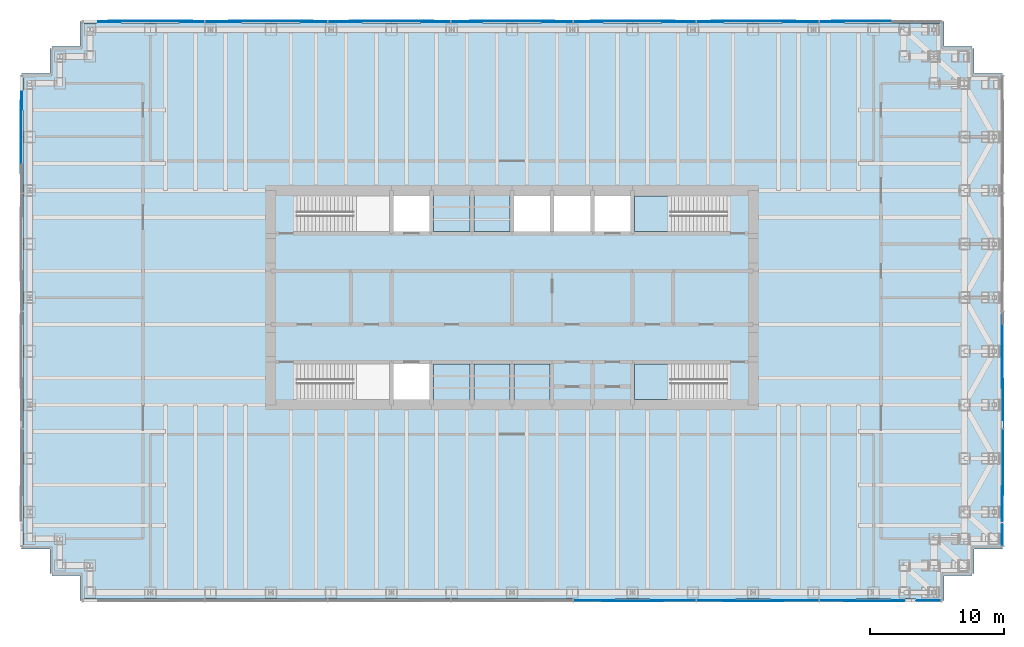
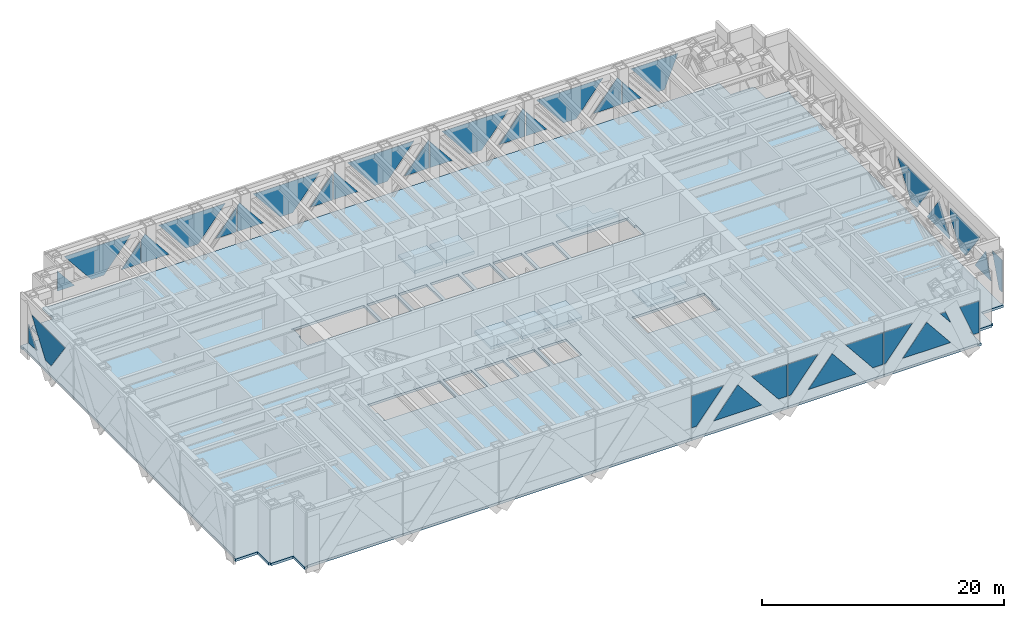
# One storey, part 10 of 17: 37 plates, 8 slabs, 6 elements without a shape of their own.
"""IFC4 building model written with IfcOpenShell, lengths in metres."""

from ifc_helpers import new_model, si_unit, direction, frame, origin, place, context, subcontext, project, spatial, polyline, outline, extrude, material, layer, layer_set, type_object, element, aggregate, save


model = new_model("IFC4")

# Units and contexts
model_context = context("Model", 3, precision=1e-05, world=origin(), true_north=direction((0.0, 1.0)))
body_context = subcontext(model_context, "Body", "Model", "MODEL_VIEW")
ifc_project = project(units=[si_unit("LENGTHUNIT", "METRE"), si_unit("AREAUNIT", "SQUARE_METRE"), si_unit("VOLUMEUNIT", "CUBIC_METRE"), si_unit("PLANEANGLEUNIT", "RADIAN"), si_unit("MASSUNIT", "GRAM", prefix="KILO")], contexts=[model_context])

# Site, building, storey
site_placement = place(None, origin())
site = spatial("IfcSite", under=ifc_project, at=site_placement, CompositionType="ELEMENT")
building_placement = place(site_placement, origin())
building = spatial("IfcBuilding", under=site, at=building_placement, Name="Rheinbord Bourse Tower", CompositionType="ELEMENT")
storey_placement = place(building_placement, frame((0.0, 0.0, 265.60009765625)))
storey = spatial("IfcBuildingStorey", under=building, at=storey_placement, Name="L60", CompositionType="ELEMENT", Elevation=265.60009765625)

# Slab
ifc_material_1 = material(Name="Concrete C30/37", Category="concrete")
ifc_layer_1 = layer(ifc_material_1, 0.25)
ifc_layer_set_1 = layer_set([ifc_layer_1], Name="COMPOSITE FLOOR SLAB 250")
slab_type_1 = type_object("IfcSlabType", Name="COMPOSITE FLOOR SLAB 250", PredefinedType="FLOOR", material=ifc_layer_set_1)
slab_1_placement = place(storey_placement, frame((0.0, 0.0, -0.25)))
element("IfcSlab", 1, at=slab_1_placement, inside=storey, type_object=slab_type_1, Name="Floor slab L60", PredefinedType="FLOOR", context=body_context, shape_type="SweptSolid", body=[
    extrude(outline(polyline([(1.64990234375, 3.39990234375), (1.5, 3.39990234375), (1.5, 5.25), (-0.60009765625, 5.25), (-0.60009765625, 5.550048828125), (-0.5, 5.550048828125), (-0.5, 40.449951171875), (-0.60009765625, 40.449951171875), (-0.60009765625, 40.75), (1.5, 40.75), (1.5, 42.60009765625), (1.64990234375, 42.60009765625), (1.64990234375, 42.75), (3.75, 42.75), (3.75, 44.60009765625), (4.050048828125, 44.60009765625), (4.050048828125, 44.5), (67.949951171875, 44.5), (67.949951171875, 44.60009765625), (68.25, 44.60009765625), (68.25, 42.75), (70.35009765625, 42.75), (70.35009765625, 42.60009765625), (70.5, 42.60009765625), (70.5, 40.75), (72.60009765625, 40.75), (72.60009765625, 40.449951171875), (72.5, 40.449951171875), (72.5, 5.550048828125), (72.60009765625, 5.550048828125), (72.60009765625, 5.25), (70.5, 5.25), (70.5, 3.39990234375), (70.35009765625, 3.39990234375), (70.35009765625, 3.25), (68.25, 3.25), (68.25, 1.39990234375), (67.949951171875, 1.39990234375), (67.949951171875, 1.5), (4.050048828125, 1.5), (4.050048828125, 1.39990234375), (3.75, 1.39990234375), (3.75, 3.25), (1.64990234375, 3.25), (1.64990234375, 3.39990234375)]), holes=[polyline([(19.949951171875, 19.050048828125), (26.85009765625, 19.050048828125), (26.85009765625, 16.39990234375), (19.949951171875, 16.39990234375), (19.949951171875, 16.449951171875), (20.10009765625, 16.449951171875), (20.10009765625, 17.64990234375), (19.949951171875, 17.64990234375), (19.949951171875, 19.050048828125)]), polyline([(19.949951171875, 31.60009765625), (26.85009765625, 31.60009765625), (26.85009765625, 28.949951171875), (19.949951171875, 28.949951171875), (19.949951171875, 30.35009765625), (20.10009765625, 30.35009765625), (20.10009765625, 31.550048828125), (19.949951171875, 31.550048828125), (19.949951171875, 31.60009765625)]), polyline([(52.050048828125, 16.39990234375), (45.14990234375, 16.39990234375), (45.14990234375, 19.050048828125), (52.050048828125, 19.050048828125), (52.050048828125, 17.64990234375), (51.89990234375, 17.64990234375), (51.89990234375, 16.449951171875), (52.050048828125, 16.449951171875), (52.050048828125, 16.39990234375)]), polyline([(52.050048828125, 28.949951171875), (45.14990234375, 28.949951171875), (45.14990234375, 31.60009765625), (52.050048828125, 31.60009765625), (52.050048828125, 31.550048828125), (51.89990234375, 31.550048828125), (51.89990234375, 30.35009765625), (52.050048828125, 30.35009765625), (52.050048828125, 28.949951171875)]), polyline([(27.14990234375, 16.39990234375), (27.14990234375, 19.050048828125), (29.85009765625, 19.050048828125), (29.85009765625, 16.39990234375), (27.14990234375, 16.39990234375)]), polyline([(27.14990234375, 28.949951171875), (27.14990234375, 31.60009765625), (29.85009765625, 31.60009765625), (29.85009765625, 28.949951171875), (27.14990234375, 28.949951171875)]), polyline([(30.14990234375, 16.39990234375), (30.14990234375, 19.050048828125), (32.85009765625, 19.050048828125), (32.85009765625, 16.39990234375), (30.14990234375, 16.39990234375)]), polyline([(30.14990234375, 28.949951171875), (30.14990234375, 31.60009765625), (32.85009765625, 31.60009765625), (32.85009765625, 28.949951171875), (30.14990234375, 28.949951171875)]), polyline([(33.14990234375, 16.39990234375), (33.14990234375, 19.050048828125), (35.85009765625, 19.050048828125), (35.85009765625, 16.39990234375), (33.14990234375, 16.39990234375)]), polyline([(33.14990234375, 28.949951171875), (33.14990234375, 31.60009765625), (35.85009765625, 31.60009765625), (35.85009765625, 28.949951171875), (33.14990234375, 28.949951171875)]), polyline([(36.14990234375, 16.39990234375), (36.14990234375, 19.050048828125), (38.85009765625, 19.050048828125), (38.85009765625, 16.39990234375), (36.14990234375, 16.39990234375)]), polyline([(36.14990234375, 28.949951171875), (36.14990234375, 31.60009765625), (38.85009765625, 31.60009765625), (38.85009765625, 28.949951171875), (36.14990234375, 28.949951171875)]), polyline([(39.14990234375, 28.949951171875), (39.14990234375, 31.60009765625), (41.85009765625, 31.60009765625), (41.85009765625, 28.949951171875), (39.14990234375, 28.949951171875)]), polyline([(42.14990234375, 28.949951171875), (42.14990234375, 31.60009765625), (44.85009765625, 31.60009765625), (44.85009765625, 28.949951171875), (42.14990234375, 28.949951171875)])]), origin(), (0.0, 0.0, 1.0), 0.25),
])

# Curtain wall, plates
ifc_material_2 = material(Name="Dark glass and black aluminium", Category="aluminium")
curtain_wall_type = type_object("IfcCurtainWallType", Name="CW5 DARK GLASS CURTAIN WALL", PredefinedType="USERDEFINED", material=ifc_material_2)
curtain_wall_1_placement = place(storey_placement, origin())
curtain_wall_1 = element("IfcCurtainWall", 2, at=curtain_wall_1_placement, inside=storey, type_object=curtain_wall_type, Name="Curtain wall CW5 S L60", ObjectType="UNITISED CURTAIN WALL", PredefinedType="USERDEFINED")
ifc_material_3 = material(Name="Dark tinted triple insulating glass", Category="glass")
ifc_layer_2 = layer(ifc_material_3, 0.050048828125)
ifc_layer_set_2 = layer_set([ifc_layer_2], Name="CW5 DARK GLASS PANEL")
plate_type = type_object("IfcPlateType", Name="CW5 DARK GLASS PANEL", PredefinedType="CURTAIN_PANEL", material=ifc_layer_set_2)
plate_1_placement = place(storey_placement, frame((40.6259765625, 1.375, 1.14990234375), z_axis=(0.0, 1.0, 0.0), x_axis=(0.0, 0.0, 1.0)))
plate_1 = element("IfcPlate", 3, at=plate_1_placement, type_object=plate_type, Name="CW5 glass facet 1", PredefinedType="CURTAIN_PANEL", context=body_context, shape_type="SweptSolid", body=[
    extrude(outline(polyline([(0.0, 0.0), (3.199951171875, 0.0), (3.199951171875, 3.051025390625), (0.0, 0.47509765625), (0.0, 0.0)])), origin(), (0.0, 0.0, 1.0), 0.050048828125),
])
plate_2_placement = place(storey_placement, frame((42.717041015625, 1.31982421875, 1.14990234375), z_axis=(0.0, 1.0, 0.0), x_axis=(0.627071935426, 0.0, 0.778961351931)))
plate_2 = element("IfcPlate", 4, at=plate_2_placement, type_object=plate_type, Name="CW5 glass facet 2", PredefinedType="CURTAIN_PANEL", context=body_context, shape_type="SweptSolid", body=[
    extrude(outline(polyline([(0.0, 0.0), (3.640625, 0.0), (2.863037109375, 3.556640625), (0.0, 0.0)])), origin(), (0.0, 0.0, 1.0), 0.050048828125),
])
plate_3_placement = place(storey_placement, frame((49.717041015625, 1.375, 4.349853515625), z_axis=(0.0, 1.0, 0.0), x_axis=(0.0, 0.0, -1.0)))
plate_3 = element("IfcPlate", 5, at=plate_3_placement, type_object=plate_type, Name="CW5 glass facet 3", PredefinedType="CURTAIN_PANEL", context=body_context, shape_type="SweptSolid", body=[
    extrude(outline(polyline([(0.0, 0.0), (3.199951171875, 0.0), (3.199951171875, 0.818115234375), (0.0, 3.39404296875), (0.0, 0.0)])), origin(), (0.0, 0.0, 1.0), 0.050048828125),
])
plate_4_placement = place(storey_placement, frame((49.797119140625, 1.375, 1.14990234375), z_axis=(0.0, 1.0, 0.0), x_axis=(0.0, 0.0, 1.0)))
plate_4 = element("IfcPlate", 6, at=plate_4_placement, type_object=plate_type, Name="CW5 glass facet 1", PredefinedType="CURTAIN_PANEL", context=body_context, shape_type="SweptSolid", body=[
    extrude(outline(polyline([(0.0, 0.0), (3.199951171875, 0.0), (3.199951171875, 2.8798828125), (0.0, 0.303955078125), (0.0, 0.0)])), origin(), (0.0, 0.0, 1.0), 0.050048828125),
])
plate_5_placement = place(storey_placement, frame((51.717041015625, 1.31982421875, 1.14990234375), z_axis=(0.0, 1.0, 0.0), x_axis=(0.627071935426, 0.0, 0.778961351931)))
plate_5 = element("IfcPlate", 7, at=plate_5_placement, type_object=plate_type, Name="CW5 glass facet 2", PredefinedType="CURTAIN_PANEL", context=body_context, shape_type="SweptSolid", body=[
    extrude(outline(polyline([(0.0, 0.0), (3.640625, 0.0), (2.863037109375, 3.556640625), (0.0, 0.0)])), origin(), (0.0, 0.0, 1.0), 0.050048828125),
])
plate_6_placement = place(storey_placement, frame((58.888916015625, 1.375, 4.349853515625), z_axis=(0.0, 1.0, 0.0), x_axis=(0.0, 0.0, -1.0)))
plate_6 = element("IfcPlate", 8, at=plate_6_placement, type_object=plate_type, Name="CW5 glass facet 3", PredefinedType="CURTAIN_PANEL", context=body_context, shape_type="SweptSolid", body=[
    extrude(outline(polyline([(0.0, 0.0), (3.199951171875, 0.0), (3.199951171875, 0.989990234375), (0.0, 3.56591796875), (0.0, 0.0)])), origin(), (0.0, 0.0, 1.0), 0.050048828125),
])
plate_7_placement = place(storey_placement, frame((58.968994140625, 1.375, 1.14990234375), z_axis=(0.0, 1.0, 0.0), x_axis=(0.0, 0.0, 1.0)))
plate_7 = element("IfcPlate", 9, at=plate_7_placement, type_object=plate_type, Name="CW5 glass facet 1", PredefinedType="CURTAIN_PANEL", context=body_context, shape_type="SweptSolid", body=[
    extrude(outline(polyline([(0.0, 0.0), (3.199951171875, 0.0), (3.199951171875, 2.7080078125), (0.0, 0.132080078125), (0.0, 0.0)])), origin(), (0.0, 0.0, 1.0), 0.050048828125),
])
plate_8_placement = place(storey_placement, frame((60.717041015625, 1.31982421875, 1.14990234375), z_axis=(0.0, 1.0, 0.0), x_axis=(0.627071935426, 0.0, 0.778961351931)))
plate_8 = element("IfcPlate", 10, at=plate_8_placement, type_object=plate_type, Name="CW5 glass facet 2", PredefinedType="CURTAIN_PANEL", context=body_context, shape_type="SweptSolid", body=[
    extrude(outline(polyline([(0.0, 0.0), (3.640625, 0.0), (2.863037109375, 3.556640625), (0.0, 0.0)])), origin(), (0.0, 0.0, 1.0), 0.050048828125),
])
plate_9_placement = place(storey_placement, frame((64.8291015625, 1.375, 4.349853515625), z_axis=(0.0, 1.0, 0.0), x_axis=(0.373628082372, 0.0, -0.927578598321)))
plate_9 = element("IfcPlate", 11, at=plate_9_placement, type_object=plate_type, Name="CW5 glass facet 3", PredefinedType="CURTAIN_PANEL", context=body_context, shape_type="SweptSolid", body=[
    extrude(outline(polyline([(0.0, 0.0), (1.35400390625, 0.0), (-0.189208984375, 0.469482421875), (0.0, 0.0)])), origin(), (0.0, 0.0, 1.0), 0.050048828125),
])
plate_10_placement = place(storey_placement, frame((68.02001953125, 1.375, 4.349853515625), z_axis=(0.0, 1.0, 0.0), x_axis=(0.0, 0.0, -1.0)))
plate_10 = element("IfcPlate", 12, at=plate_10_placement, type_object=plate_type, Name="CW5 glass facet 4", PredefinedType="CURTAIN_PANEL", context=body_context, shape_type="SweptSolid", body=[
    extrude(outline(polyline([(0.0, 0.0), (3.199951171875, 0.0), (3.199951171875, 0.5458984375), (0.0, 1.833984375), (0.0, 0.0)])), origin(), (0.0, 0.0, 1.0), 0.050048828125),
])
aggregate(curtain_wall_1, [plate_1, plate_2, plate_3, plate_4, plate_5, plate_6, plate_7, plate_8, plate_9, plate_10])

curtain_wall_2_placement = place(storey_placement, origin())
curtain_wall_2 = element("IfcCurtainWall", 13, at=curtain_wall_2_placement, inside=storey, type_object=curtain_wall_type, Name="Curtain wall CW5 E L60", ObjectType="UNITISED CURTAIN WALL", PredefinedType="USERDEFINED")
plate_11_placement = place(storey_placement, frame((72.625, 5.47998046875, 1.14990234375), z_axis=(-1.0, 0.0, 0.0), x_axis=(0.0, 0.0, 1.0)))
plate_11 = element("IfcPlate", 14, at=plate_11_placement, type_object=plate_type, Name="CW5 glass facet 1", PredefinedType="CURTAIN_PANEL", context=body_context, shape_type="SweptSolid", body=[
    extrude(outline(polyline([(0.0, 0.0), (3.199951171875, 0.0), (3.199951171875, 1.6220703125), (0.0, 0.47802734375), (0.0, 0.0)])), origin(), (0.0, 0.0, 1.0), 0.050048828125),
])
plate_12_placement = place(storey_placement, frame((72.625, 7.294921875, 1.14990234375), z_axis=(-1.0, 0.0, 0.0), x_axis=(0.0, 0.336873060387, 0.941550073647)))
plate_12 = element("IfcPlate", 15, at=plate_12_placement, type_object=plate_type, Name="CW5 glass facet 2", PredefinedType="CURTAIN_PANEL", context=body_context, shape_type="SweptSolid", body=[
    extrude(outline(polyline([(0.0, 0.0), (2.651123046875, 0.0), (0.902587890625, 2.522705078125), (0.0, 0.0)])), origin(), (0.0, 0.0, 1.0), 0.050048828125),
])
plate_13_placement = place(storey_placement, frame((72.68017578125, 11.52197265625, 1.14990234375), z_axis=(-1.0, 0.0, 0.0), x_axis=(0.0, -0.581971584449, 0.813209121256)))
plate_13 = element("IfcPlate", 16, at=plate_13_placement, type_object=plate_type, Name="CW5 glass facet 3", PredefinedType="CURTAIN_PANEL", context=body_context, shape_type="SweptSolid", body=[
    extrude(outline(polyline([(0.0, 0.0), (3.93505859375, 0.0), (1.067138671875, 4.007568359375), (0.3759765625, 3.512939453125), (-0.556396484375, 0.777587890625), (0.0, 0.0)])), origin(), (0.0, 0.0, 1.0), 0.050048828125),
])
plate_14_placement = place(storey_placement, frame((72.68017578125, 14.239990234375, 1.14990234375), z_axis=(-1.0, 0.0, 0.0), x_axis=(0.0, 0.0, 1.0)))
plate_14 = element("IfcPlate", 17, at=plate_14_placement, type_object=plate_type, Name="CW5 glass facet 2", PredefinedType="CURTAIN_PANEL", context=body_context, shape_type="SweptSolid", body=[
    extrude(outline(polyline([(0.0, 0.0), (0.299072265625, 0.0), (2.758056640625, 1.760009765625), (0.0, 3.734130859375), (0.0, 0.0)])), origin(), (0.0, 0.0, 1.0), 0.050048828125),
])
plate_15_placement = place(storey_placement, frame((72.625, 19.52197265625, 1.14990234375), z_axis=(-1.0, 0.0, 0.0), x_axis=(0.0, -0.581971584449, 0.813209121256)))
plate_15 = element("IfcPlate", 18, at=plate_15_placement, type_object=plate_type, Name="CW5 glass facet 3", PredefinedType="CURTAIN_PANEL", context=body_context, shape_type="SweptSolid", body=[
    extrude(outline(polyline([(0.0, 0.0), (3.93505859375, 0.0), (0.713134765625, 4.501953125), (-0.556396484375, 0.777587890625), (0.0, 0.0)])), origin(), (0.0, 0.0, 1.0), 0.050048828125),
])
aggregate(curtain_wall_2, [plate_11, plate_12, plate_13, plate_14, plate_15])

curtain_wall_3_placement = place(storey_placement, origin())
curtain_wall_3 = element("IfcCurtainWall", 19, at=curtain_wall_3_placement, inside=storey, type_object=curtain_wall_type, Name="Curtain wall CW5 N L60", ObjectType="UNITISED CURTAIN WALL", PredefinedType="USERDEFINED")
plate_16_placement = place(storey_placement, frame((63.02587890625, 44.68017578125, 1.14990234375), z_axis=(0.0, -1.0, 0.0), x_axis=(0.373415457353, 0.0, 0.927664215225)))
plate_16 = element("IfcPlate", 20, at=plate_16_placement, type_object=plate_type, Name="CW5 glass facet 3", PredefinedType="CURTAIN_PANEL", context=body_context, shape_type="SweptSolid", body=[
    extrude(outline(polyline([(0.0, 0.0), (3.449462890625, 0.0), (1.7724609375, 4.166015625), (-0.234130859375, 0.58154296875), (0.0, 0.0)])), origin(), (0.0, 0.0, 1.0), 0.050048828125),
])
plate_17_placement = place(storey_placement, frame((58.968994140625, 44.625, 1.14990234375), z_axis=(0.0, -1.0, 0.0), x_axis=(1.0, 0.0, 0.0)))
plate_17 = element("IfcPlate", 21, at=plate_17_placement, type_object=plate_type, Name="CW5 glass facet 4", PredefinedType="CURTAIN_PANEL", context=body_context, shape_type="SweptSolid", body=[
    extrude(outline(polyline([(0.0, 0.0), (1.81396484375, 0.0), (0.0, 2.25390625), (0.0, 0.0)])), origin(), (0.0, 0.0, 1.0), 0.050048828125),
])
plate_18_placement = place(storey_placement, frame((58.888916015625, 44.625, 1.14990234375), z_axis=(0.0, -1.0, 0.0), x_axis=(0.0, 0.0, 1.0)))
plate_18 = element("IfcPlate", 22, at=plate_18_placement, type_object=plate_type, Name="CW5 glass facet 1", PredefinedType="CURTAIN_PANEL", context=body_context, shape_type="SweptSolid", body=[
    extrude(outline(polyline([(0.0, 0.0), (2.35302734375, 0.0), (2.8359375, 0.388916015625), (0.0, 2.671875), (0.0, 0.0)])), origin(), (0.0, 0.0, 1.0), 0.050048828125),
])
plate_19_placement = place(storey_placement, frame((54.60107421875, 44.68017578125, 1.14990234375), z_axis=(0.0, -1.0, 0.0), x_axis=(0.62706218413, 0.0, 0.778969201724)))
plate_19 = element("IfcPlate", 23, at=plate_19_placement, type_object=plate_type, Name="CW5 glass facet 2", PredefinedType="CURTAIN_PANEL", context=body_context, shape_type="SweptSolid", body=[
    extrude(outline(polyline([(0.0, 0.0), (4.10791015625, 0.0), (0.12353515625, 4.949462890625), (-0.75390625, 0.9365234375), (0.0, 0.0)])), origin(), (0.0, 0.0, 1.0), 0.050048828125),
])
plate_20_placement = place(storey_placement, frame((49.797119140625, 44.625, 1.14990234375), z_axis=(0.0, -1.0, 0.0), x_axis=(1.0, 0.0, 0.0)))
plate_20 = element("IfcPlate", 24, at=plate_20_placement, type_object=plate_type, Name="CW5 glass facet 3", PredefinedType="CURTAIN_PANEL", context=body_context, shape_type="SweptSolid", body=[
    extrude(outline(polyline([(0.0, 0.0), (1.98583984375, 0.0), (0.0, 2.467041015625), (0.0, 0.0)])), origin(), (0.0, 0.0, 1.0), 0.050048828125),
])
plate_21_placement = place(storey_placement, frame((49.717041015625, 44.625, 1.14990234375), z_axis=(0.0, -1.0, 0.0), x_axis=(0.0, 0.0, 1.0)))
plate_21 = element("IfcPlate", 25, at=plate_21_placement, type_object=plate_type, Name="CW5 glass facet 1", PredefinedType="CURTAIN_PANEL", context=body_context, shape_type="SweptSolid", body=[
    extrude(outline(polyline([(0.0, 0.0), (2.56591796875, 0.0), (2.8359375, 0.217041015625), (0.0, 2.5), (0.0, 0.0)])), origin(), (0.0, 0.0, 1.0), 0.050048828125),
])
plate_22_placement = place(storey_placement, frame((45.60107421875, 44.68017578125, 1.14990234375), z_axis=(0.0, -1.0, 0.0), x_axis=(0.62706218413, 0.0, 0.778969201724)))
plate_22 = element("IfcPlate", 26, at=plate_22_placement, type_object=plate_type, Name="CW5 glass facet 2", PredefinedType="CURTAIN_PANEL", context=body_context, shape_type="SweptSolid", body=[
    extrude(outline(polyline([(0.0, 0.0), (4.10791015625, 0.0), (0.12353515625, 4.949462890625), (-0.75390625, 0.9365234375), (0.0, 0.0)])), origin(), (0.0, 0.0, 1.0), 0.050048828125),
])
plate_23_placement = place(storey_placement, frame((40.6259765625, 44.625, 1.14990234375), z_axis=(0.0, -1.0, 0.0), x_axis=(1.0, 0.0, 0.0)))
plate_23 = element("IfcPlate", 27, at=plate_23_placement, type_object=plate_type, Name="CW5 glass facet 3", PredefinedType="CURTAIN_PANEL", context=body_context, shape_type="SweptSolid", body=[
    extrude(outline(polyline([(0.0, 0.0), (2.156982421875, 0.0), (0.0, 2.679931640625), (0.0, 0.0)])), origin(), (0.0, 0.0, 1.0), 0.050048828125),
])
plate_24_placement = place(storey_placement, frame((40.5458984375, 44.625, 1.14990234375), z_axis=(0.0, -1.0, 0.0), x_axis=(0.0, 0.0, 1.0)))
plate_24 = element("IfcPlate", 28, at=plate_24_placement, type_object=plate_type, Name="CW5 glass facet 1", PredefinedType="CURTAIN_PANEL", context=body_context, shape_type="SweptSolid", body=[
    extrude(outline(polyline([(0.0, 0.0), (2.779052734375, 0.0), (2.8359375, 0.0458984375), (0.0, 2.328857421875), (0.0, 0.0)])), origin(), (0.0, 0.0, 1.0), 0.050048828125),
])
plate_25_placement = place(storey_placement, frame((36.60107421875, 44.68017578125, 1.14990234375), z_axis=(0.0, -1.0, 0.0), x_axis=(0.62706218413, 0.0, 0.778969201724)))
plate_25 = element("IfcPlate", 29, at=plate_25_placement, type_object=plate_type, Name="CW5 glass facet 2", PredefinedType="CURTAIN_PANEL", context=body_context, shape_type="SweptSolid", body=[
    extrude(outline(polyline([(0.0, 0.0), (4.10791015625, 0.0), (0.12353515625, 4.949462890625), (-0.75390625, 0.9365234375), (0.0, 0.0)])), origin(), (0.0, 0.0, 1.0), 0.050048828125),
])
plate_26_placement = place(storey_placement, frame((31.4541015625, 44.625, 1.14990234375), z_axis=(0.0, -1.0, 0.0), x_axis=(1.0, 0.0, 0.0)))
plate_26 = element("IfcPlate", 30, at=plate_26_placement, type_object=plate_type, Name="CW5 glass facet 3", PredefinedType="CURTAIN_PANEL", context=body_context, shape_type="SweptSolid", body=[
    extrude(outline(polyline([(0.0, 0.0), (2.328857421875, 0.0), (0.0458984375, 2.8359375), (0.0, 2.779052734375), (0.0, 0.0)])), origin(), (0.0, 0.0, 1.0), 0.050048828125),
])
plate_27_placement = place(storey_placement, frame((31.3740234375, 44.625, 1.14990234375), z_axis=(0.0, -1.0, 0.0), x_axis=(0.0, 0.0, 1.0)))
plate_27 = element("IfcPlate", 31, at=plate_27_placement, type_object=plate_type, Name="CW5 glass facet 1", PredefinedType="CURTAIN_PANEL", context=body_context, shape_type="SweptSolid", body=[
    extrude(outline(polyline([(0.0, 0.0), (2.679931640625, 0.0), (0.0, 2.156982421875), (0.0, 0.0)])), origin(), (0.0, 0.0, 1.0), 0.050048828125),
])
plate_28_placement = place(storey_placement, frame((27.60107421875, 44.68017578125, 1.14990234375), z_axis=(0.0, -1.0, 0.0), x_axis=(0.62706218413, 0.0, 0.778969201724)))
plate_28 = element("IfcPlate", 32, at=plate_28_placement, type_object=plate_type, Name="CW5 glass facet 2", PredefinedType="CURTAIN_PANEL", context=body_context, shape_type="SweptSolid", body=[
    extrude(outline(polyline([(0.0, 0.0), (4.10791015625, 0.0), (0.12353515625, 4.949462890625), (-0.75390625, 0.9365234375), (0.0, 0.0)])), origin(), (0.0, 0.0, 1.0), 0.050048828125),
])
plate_29_placement = place(storey_placement, frame((22.282958984375, 44.625, 1.14990234375), z_axis=(0.0, -1.0, 0.0), x_axis=(1.0, 0.0, 0.0)))
plate_29 = element("IfcPlate", 33, at=plate_29_placement, type_object=plate_type, Name="CW5 glass facet 3", PredefinedType="CURTAIN_PANEL", context=body_context, shape_type="SweptSolid", body=[
    extrude(outline(polyline([(0.0, 0.0), (2.5, 0.0), (0.217041015625, 2.8359375), (0.0, 2.56591796875), (0.0, 0.0)])), origin(), (0.0, 0.0, 1.0), 0.050048828125),
])
plate_30_placement = place(storey_placement, frame((22.202880859375, 44.625, 1.14990234375), z_axis=(0.0, -1.0, 0.0), x_axis=(0.0, 0.0, 1.0)))
plate_30 = element("IfcPlate", 34, at=plate_30_placement, type_object=plate_type, Name="CW5 glass facet 1", PredefinedType="CURTAIN_PANEL", context=body_context, shape_type="SweptSolid", body=[
    extrude(outline(polyline([(0.0, 0.0), (2.467041015625, 0.0), (0.0, 1.98583984375), (0.0, 0.0)])), origin(), (0.0, 0.0, 1.0), 0.050048828125),
])
plate_31_placement = place(storey_placement, frame((18.60107421875, 44.68017578125, 1.14990234375), z_axis=(0.0, -1.0, 0.0), x_axis=(0.62706218413, 0.0, 0.778969201724)))
plate_31 = element("IfcPlate", 35, at=plate_31_placement, type_object=plate_type, Name="CW5 glass facet 2", PredefinedType="CURTAIN_PANEL", context=body_context, shape_type="SweptSolid", body=[
    extrude(outline(polyline([(0.0, 0.0), (4.10791015625, 0.0), (0.12353515625, 4.949462890625), (-0.75390625, 0.9365234375), (0.0, 0.0)])), origin(), (0.0, 0.0, 1.0), 0.050048828125),
])
plate_32_placement = place(storey_placement, frame((13.111083984375, 44.625, 1.14990234375), z_axis=(0.0, -1.0, 0.0), x_axis=(1.0, 0.0, 0.0)))
plate_32 = element("IfcPlate", 36, at=plate_32_placement, type_object=plate_type, Name="CW5 glass facet 3", PredefinedType="CURTAIN_PANEL", context=body_context, shape_type="SweptSolid", body=[
    extrude(outline(polyline([(0.0, 0.0), (2.671875, 0.0), (0.388916015625, 2.8359375), (0.0, 2.35302734375), (0.0, 0.0)])), origin(), (0.0, 0.0, 1.0), 0.050048828125),
])
plate_33_placement = place(storey_placement, frame((13.031005859375, 44.625, 1.14990234375), z_axis=(0.0, -1.0, 0.0), x_axis=(0.0, 0.0, 1.0)))
plate_33 = element("IfcPlate", 37, at=plate_33_placement, type_object=plate_type, Name="CW5 glass facet 1", PredefinedType="CURTAIN_PANEL", context=body_context, shape_type="SweptSolid", body=[
    extrude(outline(polyline([(0.0, 0.0), (2.25390625, 0.0), (0.0, 1.81396484375), (0.0, 0.0)])), origin(), (0.0, 0.0, 1.0), 0.050048828125),
])
plate_34_placement = place(storey_placement, frame((9.60107421875, 44.68017578125, 1.14990234375), z_axis=(0.0, -1.0, 0.0), x_axis=(0.62706218413, 0.0, 0.778969201724)))
plate_34 = element("IfcPlate", 38, at=plate_34_placement, type_object=plate_type, Name="CW5 glass facet 2", PredefinedType="CURTAIN_PANEL", context=body_context, shape_type="SweptSolid", body=[
    extrude(outline(polyline([(0.0, 0.0), (4.10791015625, 0.0), (0.12353515625, 4.949462890625), (-0.75390625, 0.9365234375), (0.0, 0.0)])), origin(), (0.0, 0.0, 1.0), 0.050048828125),
])
plate_35_placement = place(storey_placement, frame((6.782958984375, 44.625, 1.14990234375), z_axis=(0.0, -1.0, 0.0), x_axis=(-0.626984734238, 0.0, 0.779031541744)))
plate_35 = element("IfcPlate", 39, at=plate_35_placement, type_object=plate_type, Name="CW5 glass facet 3", PredefinedType="CURTAIN_PANEL", context=body_context, shape_type="SweptSolid", body=[
    extrude(outline(polyline([(0.0, 0.0), (2.636474609375, 0.0), (1.036376953125, 1.287841796875), (0.0, 0.0)])), origin(), (0.0, 0.0, 1.0), 0.050048828125),
])
aggregate(curtain_wall_3, [plate_16, plate_17, plate_18, plate_19, plate_20, plate_21, plate_22, plate_23, plate_24, plate_25, plate_26, plate_27, plate_28, plate_29, plate_30, plate_31, plate_32, plate_33, plate_34, plate_35])

curtain_wall_4_placement = place(storey_placement, origin())
curtain_wall_4 = element("IfcCurtainWall", 40, at=curtain_wall_4_placement, inside=storey, type_object=curtain_wall_type, Name="Curtain wall CW5 W L60", ObjectType="UNITISED CURTAIN WALL", PredefinedType="USERDEFINED")
plate_36_placement = place(storey_placement, frame((-0.625, 39.3701171875, 1.14990234375), z_axis=(1.0, 0.0, 0.0), x_axis=(0.0, 0.0, 1.0)))
plate_36 = element("IfcPlate", 41, at=plate_36_placement, type_object=plate_type, Name="CW5 glass facet 1", PredefinedType="CURTAIN_PANEL", context=body_context, shape_type="SweptSolid", body=[
    extrude(outline(polyline([(0.0, 0.0), (1.87890625, 0.0), (0.0, 1.34423828125), (0.0, 0.0)])), origin(), (0.0, 0.0, 1.0), 0.050048828125),
])
plate_37_placement = place(storey_placement, frame((-0.68017578125, 36.47802734375, 1.14990234375), z_axis=(1.0, 0.0, 0.0), x_axis=(0.0, 0.581971584449, 0.813209121256)))
plate_37 = element("IfcPlate", 42, at=plate_37_placement, type_object=plate_type, Name="CW5 glass facet 2", PredefinedType="CURTAIN_PANEL", context=body_context, shape_type="SweptSolid", body=[
    extrude(outline(polyline([(0.0, 0.0), (3.93505859375, 0.0), (0.713134765625, 4.501953125), (-0.556396484375, 0.777587890625), (0.0, 0.0)])), origin(), (0.0, 0.0, 1.0), 0.050048828125),
])
aggregate(curtain_wall_4, [plate_36, plate_37])

# Slabs
ifc_material_4 = material(Name="Concrete C50/60", Category="concrete")
ifc_layer_3 = layer(ifc_material_4, 0.300048828125)
ifc_layer_set_3 = layer_set([ifc_layer_3], Name="LIFT PIT SLAB 300")
slab_type_2 = type_object("IfcSlabType", Name="LIFT PIT SLAB 300", PredefinedType="USERDEFINED", material=ifc_layer_set_3)
slab_2_placement = place(storey_placement, frame((0.0, 0.0, 3.599853515625)))
element("IfcSlab", 43, at=slab_2_placement, inside=storey, type_object=slab_type_2, Name="Lift pit PD1", ObjectType="LIFT PIT SLAB", PredefinedType="USERDEFINED", context=body_context, shape_type="SweptSolid", body=[
    extrude(outline(polyline([(30.14990234375, 16.35009765625), (32.85009765625, 16.35009765625), (32.85009765625, 19.050048828125), (30.14990234375, 19.050048828125), (30.14990234375, 16.35009765625)])), origin(), (0.0, 0.0, 1.0), 0.300048828125),
])
slab_3_placement = place(storey_placement, frame((0.0, 0.0, 3.599853515625)))
element("IfcSlab", 44, at=slab_3_placement, inside=storey, type_object=slab_type_2, Name="Lift pit PD2", ObjectType="LIFT PIT SLAB", PredefinedType="USERDEFINED", context=body_context, shape_type="SweptSolid", body=[
    extrude(outline(polyline([(33.14990234375, 16.35009765625), (35.85009765625, 16.35009765625), (35.85009765625, 19.050048828125), (33.14990234375, 19.050048828125), (33.14990234375, 16.35009765625)])), origin(), (0.0, 0.0, 1.0), 0.300048828125),
])
slab_4_placement = place(storey_placement, frame((0.0, 0.0, 3.599853515625)))
element("IfcSlab", 45, at=slab_4_placement, inside=storey, type_object=slab_type_2, Name="Lift pit PD3", ObjectType="LIFT PIT SLAB", PredefinedType="USERDEFINED", context=body_context, shape_type="SweptSolid", body=[
    extrude(outline(polyline([(36.14990234375, 16.35009765625), (38.85009765625, 16.35009765625), (38.85009765625, 19.050048828125), (36.14990234375, 19.050048828125), (36.14990234375, 16.35009765625)])), origin(), (0.0, 0.0, 1.0), 0.300048828125),
])
slab_5_placement = place(storey_placement, frame((0.0, 0.0, 3.599853515625)))
element("IfcSlab", 46, at=slab_5_placement, inside=storey, type_object=slab_type_2, Name="Lift pit PD4", ObjectType="LIFT PIT SLAB", PredefinedType="USERDEFINED", context=body_context, shape_type="SweptSolid", body=[
    extrude(outline(polyline([(30.14990234375, 28.949951171875), (32.85009765625, 28.949951171875), (32.85009765625, 31.64990234375), (30.14990234375, 31.64990234375), (30.14990234375, 28.949951171875)])), origin(), (0.0, 0.0, 1.0), 0.300048828125),
])
slab_6_placement = place(storey_placement, frame((0.0, 0.0, 3.599853515625)))
element("IfcSlab", 47, at=slab_6_placement, inside=storey, type_object=slab_type_2, Name="Lift pit PD5", ObjectType="LIFT PIT SLAB", PredefinedType="USERDEFINED", context=body_context, shape_type="SweptSolid", body=[
    extrude(outline(polyline([(33.14990234375, 28.949951171875), (35.85009765625, 28.949951171875), (35.85009765625, 31.64990234375), (33.14990234375, 31.64990234375), (33.14990234375, 28.949951171875)])), origin(), (0.0, 0.0, 1.0), 0.300048828125),
])

# Stair, slab
ifc_material_5 = material(Name="Concrete C30/37", Category="concrete")
stair_type = type_object("IfcStairType", Name="CORE STAIR HALF TURN 5500", PredefinedType="HALF_TURN_STAIR", material=ifc_material_5)
stair_1_placement = place(storey_placement, origin())
stair_1 = element("IfcStair", 48, at=stair_1_placement, inside=storey, type_object=stair_type, Name="Stair ST3 L60, type CS5", PredefinedType="HALF_TURN_STAIR")
ifc_material_6 = material(Name="Concrete C30/37", Category="concrete")
ifc_layer_4 = layer(ifc_material_6, 0.199951171875)
ifc_layer_set_4 = layer_set([ifc_layer_4], Name="STAIR LANDING 200")
slab_type_3 = type_object("IfcSlabType", Name="STAIR LANDING 200", PredefinedType="LANDING", material=ifc_layer_set_4)
slab_7_placement = place(storey_placement, frame((0.0, 0.0, 2.5498046875)))
slab_7 = element("IfcSlab", 49, at=slab_7_placement, type_object=slab_type_3, Name="Half landing ST3 L60", PredefinedType="LANDING", context=body_context, shape_type="SweptSolid", body=[
    extrude(outline(polyline([(45.14990234375, 16.39990234375), (47.85009765625, 16.39990234375), (47.85009765625, 17.85009765625), (49.580078125, 17.85009765625), (49.580078125, 19.050048828125), (45.14990234375, 19.050048828125), (45.14990234375, 16.39990234375)])), origin(), (0.0, 0.0, 1.0), 0.2001953125),
])
aggregate(stair_1, [slab_7])

stair_2_placement = place(storey_placement, origin())
stair_2 = element("IfcStair", 50, at=stair_2_placement, inside=storey, type_object=stair_type, Name="Stair ST4 L60, type CS5", PredefinedType="HALF_TURN_STAIR")
slab_8_placement = place(storey_placement, frame((0.0, 0.0, 2.5498046875)))
slab_8 = element("IfcSlab", 51, at=slab_8_placement, type_object=slab_type_3, Name="Half landing ST4 L60", PredefinedType="LANDING", context=body_context, shape_type="SweptSolid", body=[
    extrude(outline(polyline([(45.14990234375, 28.949951171875), (49.580078125, 28.949951171875), (49.580078125, 30.14990234375), (47.85009765625, 30.14990234375), (47.85009765625, 31.60009765625), (45.14990234375, 31.60009765625), (45.14990234375, 28.949951171875)])), origin(), (0.0, 0.0, 1.0), 0.2001953125),
])
aggregate(stair_2, [slab_8])

save(model, "model.ifc")
